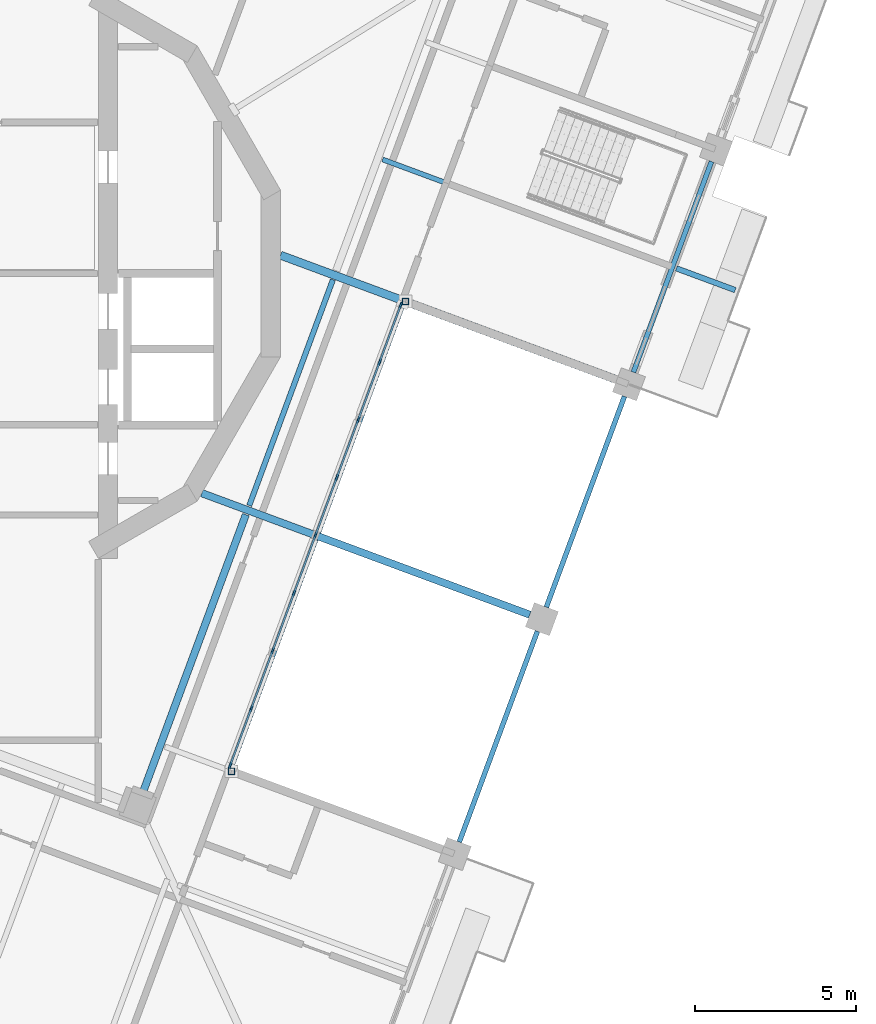
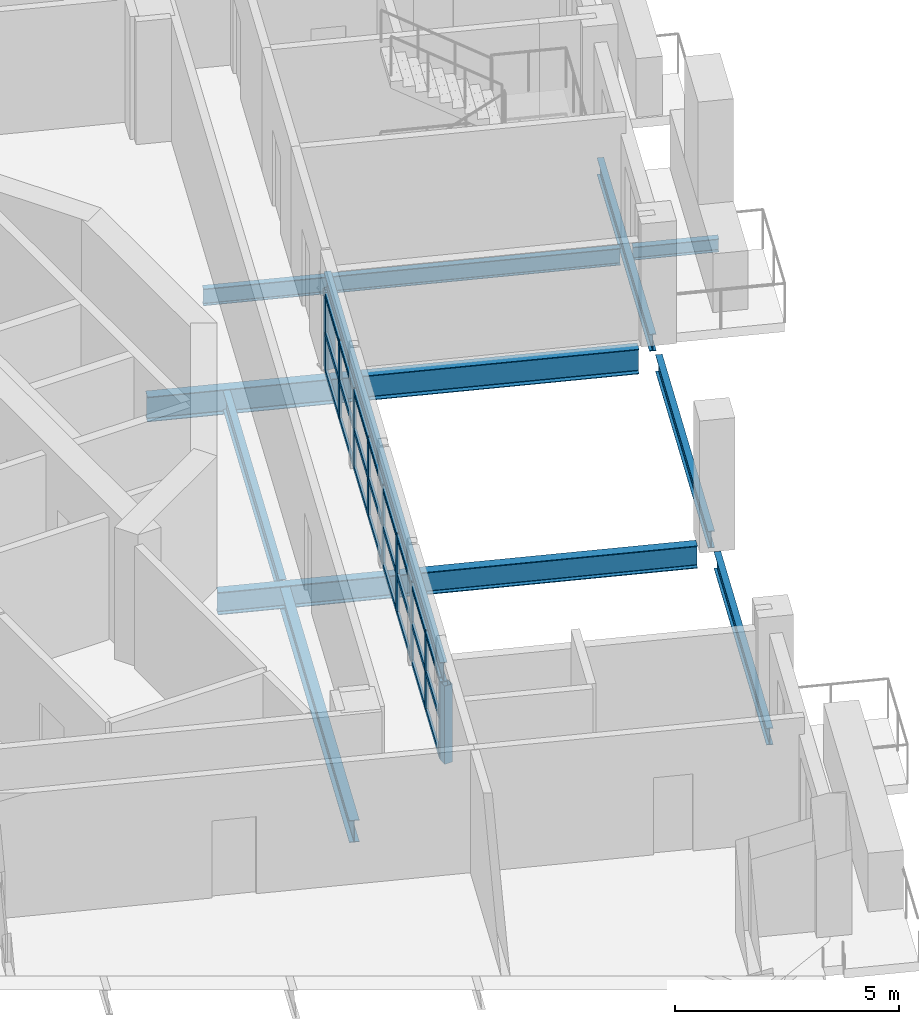
# One storey, part 2 of 19: 35 members, 10 beams, 1 element without a shape of its own.
"""IFC4 building model written with IfcOpenShell, lengths in metres."""

from ifc_helpers import new_model, si_unit, direction, frame, origin, origin_2d, place, context, subcontext, project, spatial, rectangle, hollow_rectangle, i_section, extrude, material, material_profile, profile_set, type_object, element, aggregate, save


model = new_model("IFC4")

# Units and contexts
model_context = context("Model", 3, precision=1e-05, world=origin(), true_north=direction((0.0, 1.0)))
body_context = subcontext(model_context, "Body", "Model", "MODEL_VIEW")
ifc_project = project(units=[si_unit("LENGTHUNIT", "METRE"), si_unit("AREAUNIT", "SQUARE_METRE"), si_unit("VOLUMEUNIT", "CUBIC_METRE"), si_unit("PLANEANGLEUNIT", "RADIAN"), si_unit("MASSUNIT", "GRAM", prefix="KILO")], contexts=[model_context])

# Site, building, storey
site_placement = place(None, origin())
site = spatial("IfcSite", under=ifc_project, at=site_placement, CompositionType="ELEMENT")
building_placement = place(site_placement, origin())
building = spatial("IfcBuilding", under=site, at=building_placement, Name="Cantera Rosa Tower", CompositionType="ELEMENT")
storey_placement = place(building_placement, frame((0.0, 0.0, 334.89990234375)))
storey = spatial("IfcBuildingStorey", under=building, at=storey_placement, Name="L75", CompositionType="ELEMENT", Elevation=334.89990234375)

# Curtain wall, members
ifc_material_1 = material(Name="Aluminium frame with clear glass", Category="aluminium")
curtain_wall_type = type_object("IfcCurtainWallType", Name="CW1 TERRACE POCKET GLAZING", PredefinedType="NOTDEFINED", material=ifc_material_1)
curtain_wall_placement = place(storey_placement, origin())
curtain_wall = element("IfcCurtainWall", 1, at=curtain_wall_placement, inside=storey, type_object=curtain_wall_type, Name="CW1 CW1", PredefinedType="NOTDEFINED")
ifc_material_2 = material(Name="Anodised bronze aluminium", Category="aluminium")
ifc_material_profile_1 = material_profile(ifc_material_2, rectangle(XDim=0.06005859375, YDim=0.179931640625, at=origin_2d()), Name="CW-MULLION 60x180 POCKET")
ifc_profile_set_1 = profile_set([ifc_material_profile_1], Name="Anodised bronze aluminium")
member_type_1 = type_object("IfcMemberType", Name="CW-MULLION 60x180 POCKET", PredefinedType="MULLION", material=ifc_profile_set_1)
member_1_placement = place(storey_placement, frame((8.094970703125, -15.280029296875, 0.0), z_axis=(0.0, 0.0, 1.0), x_axis=(-0.93768693693, 0.347481234472, 0.0)))
member_1 = element("IfcMember", 2, at=member_1_placement, type_object=member_type_1, Name="CW1 mullion 1", PredefinedType="MULLION", context=body_context, shape_type="SweptSolid", body=[
    extrude(rectangle(XDim=0.06005859375, YDim=0.179931640625, at=origin_2d()), origin(), (0.0, 0.0, 1.0), 2.128173828125),
])
member_2_placement = place(storey_placement, frame((8.74951171875, -13.513671875, 0.0), z_axis=(0.0, 0.0, 1.0), x_axis=(-0.93768693693, 0.347481234472, 0.0)))
member_2 = element("IfcMember", 3, at=member_2_placement, type_object=member_type_1, Name="CW1 mullion 2", PredefinedType="MULLION", context=body_context, shape_type="SweptSolid", body=[
    extrude(rectangle(XDim=0.06005859375, YDim=0.179931640625, at=origin_2d()), origin(), (0.0, 0.0, 1.0), 2.128173828125),
])
member_3_placement = place(storey_placement, frame((9.41455078125, -11.718994140625, 0.0), z_axis=(0.0, 0.0, 1.0), x_axis=(-0.93768693693, 0.347481234472, 0.0)))
member_3 = element("IfcMember", 4, at=member_3_placement, type_object=member_type_1, Name="CW1 mullion 3", PredefinedType="MULLION", context=body_context, shape_type="SweptSolid", body=[
    extrude(rectangle(XDim=0.06005859375, YDim=0.179931640625, at=origin_2d()), origin(), (0.0, 0.0, 1.0), 2.128173828125),
])
member_4_placement = place(storey_placement, frame((10.079345703125, -9.924560546875, 0.0), z_axis=(0.0, 0.0, 1.0), x_axis=(-0.93768693693, 0.347481234472, 0.0)))
member_4 = element("IfcMember", 5, at=member_4_placement, type_object=member_type_1, Name="CW1 mullion 4", PredefinedType="MULLION", context=body_context, shape_type="SweptSolid", body=[
    extrude(rectangle(XDim=0.06005859375, YDim=0.179931640625, at=origin_2d()), origin(), (0.0, 0.0, 1.0), 2.128173828125),
])
member_5_placement = place(storey_placement, frame((10.744384765625, -8.130126953125, 0.0), z_axis=(0.0, 0.0, 1.0), x_axis=(-0.93768693693, 0.347481234472, 0.0)))
member_5 = element("IfcMember", 6, at=member_5_placement, type_object=member_type_1, Name="CW1 mullion 5", PredefinedType="MULLION", context=body_context, shape_type="SweptSolid", body=[
    extrude(rectangle(XDim=0.06005859375, YDim=0.179931640625, at=origin_2d()), origin(), (0.0, 0.0, 1.0), 2.128173828125),
])
member_6_placement = place(storey_placement, frame((11.409423828125, -6.335693359375, 0.0), z_axis=(0.0, 0.0, 1.0), x_axis=(-0.93768693693, 0.347481234472, 0.0)))
member_6 = element("IfcMember", 7, at=member_6_placement, type_object=member_type_1, Name="CW1 mullion 6", PredefinedType="MULLION", context=body_context, shape_type="SweptSolid", body=[
    extrude(rectangle(XDim=0.06005859375, YDim=0.179931640625, at=origin_2d()), origin(), (0.0, 0.0, 1.0), 2.128173828125),
])
member_7_placement = place(storey_placement, frame((12.074462890625, -4.541015625, 0.0), z_axis=(0.0, 0.0, 1.0), x_axis=(-0.93768693693, 0.347481234472, 0.0)))
member_7 = element("IfcMember", 8, at=member_7_placement, type_object=member_type_1, Name="CW1 mullion 7", PredefinedType="MULLION", context=body_context, shape_type="SweptSolid", body=[
    extrude(rectangle(XDim=0.06005859375, YDim=0.179931640625, at=origin_2d()), origin(), (0.0, 0.0, 1.0), 2.128173828125),
])
member_8_placement = place(storey_placement, frame((12.739501953125, -2.74658203125, 0.0), z_axis=(0.0, 0.0, 1.0), x_axis=(-0.93768693693, 0.347481234472, 0.0)))
member_8 = element("IfcMember", 9, at=member_8_placement, type_object=member_type_1, Name="CW1 mullion 8", PredefinedType="MULLION", context=body_context, shape_type="SweptSolid", body=[
    extrude(rectangle(XDim=0.06005859375, YDim=0.179931640625, at=origin_2d()), origin(), (0.0, 0.0, 1.0), 2.128173828125),
])
member_9_placement = place(storey_placement, frame((13.39404296875, -0.980224609375, 0.0), z_axis=(0.0, 0.0, 1.0), x_axis=(-0.93768693693, 0.347481234472, 0.0)))
member_9 = element("IfcMember", 10, at=member_9_placement, type_object=member_type_1, Name="CW1 mullion 9", PredefinedType="MULLION", context=body_context, shape_type="SweptSolid", body=[
    extrude(rectangle(XDim=0.06005859375, YDim=0.179931640625, at=origin_2d()), origin(), (0.0, 0.0, 1.0), 2.128173828125),
])
ifc_material_3 = material(Name="Anodised bronze aluminium", Category="aluminium")
ifc_material_profile_2 = material_profile(ifc_material_3, rectangle(XDim=0.06005859375, YDim=0.139892578125, at=origin_2d()), Name="CW-TRANSOM 60x140 POCKET")
ifc_profile_set_2 = profile_set([ifc_material_profile_2], Name="Anodised bronze aluminium")
member_type_2 = type_object("IfcMemberType", Name="CW-TRANSOM 60x140 POCKET", PredefinedType="USERDEFINED", material=ifc_profile_set_2)
member_10_placement = place(storey_placement, frame((8.105224609375, -15.251953125, 0.030029296875), z_axis=(0.347497456421, 0.937680925358, 0.0), x_axis=(-0.937680925358, 0.347497456421, 0.0)))
member_10 = element("IfcMember", 11, at=member_10_placement, type_object=member_type_2, Name="CW1 transom 1.1", ObjectType="TRANSOM", PredefinedType="USERDEFINED", context=body_context, shape_type="SweptSolid", body=[
    extrude(rectangle(XDim=0.06005859375, YDim=0.139892578125, at=origin_2d()), origin(), (0.0, 0.0, 1.0), 1.823974609375),
])
member_11_placement = place(storey_placement, frame((8.105224609375, -15.251953125, 1.064208984375), z_axis=(0.347497456421, 0.937680925358, 0.0), x_axis=(-0.937680925358, 0.347497456421, 0.0)))
member_11 = element("IfcMember", 12, at=member_11_placement, type_object=member_type_2, Name="CW1 transom 1.2", ObjectType="TRANSOM", PredefinedType="USERDEFINED", context=body_context, shape_type="SweptSolid", body=[
    extrude(rectangle(XDim=0.06005859375, YDim=0.139892578125, at=origin_2d()), origin(), (0.0, 0.0, 1.0), 1.823974609375),
])
member_12_placement = place(storey_placement, frame((8.105224609375, -15.251953125, 2.09814453125), z_axis=(0.347497456421, 0.937680925358, 0.0), x_axis=(-0.937680925358, 0.347497456421, 0.0)))
member_12 = element("IfcMember", 13, at=member_12_placement, type_object=member_type_2, Name="CW1 transom 1.3", ObjectType="TRANSOM", PredefinedType="USERDEFINED", context=body_context, shape_type="SweptSolid", body=[
    extrude(rectangle(XDim=0.06005859375, YDim=0.139892578125, at=origin_2d()), origin(), (0.0, 0.0, 1.0), 1.823974609375),
])
member_13_placement = place(storey_placement, frame((8.760009765625, -13.485595703125, 0.030029296875), z_axis=(0.347425877782, 0.937707448753, 0.0), x_axis=(-0.937707448753, 0.347425877782, 0.0)))
member_13 = element("IfcMember", 14, at=member_13_placement, type_object=member_type_2, Name="CW1 transom 2.1", ObjectType="TRANSOM", PredefinedType="USERDEFINED", context=body_context, shape_type="SweptSolid", body=[
    extrude(rectangle(XDim=0.06005859375, YDim=0.139892578125, at=origin_2d()), origin(), (0.0, 0.0, 1.0), 1.853759765625),
])
member_14_placement = place(storey_placement, frame((8.760009765625, -13.485595703125, 1.064208984375), z_axis=(0.347425877782, 0.937707448753, 0.0), x_axis=(-0.937707448753, 0.347425877782, 0.0)))
member_14 = element("IfcMember", 15, at=member_14_placement, type_object=member_type_2, Name="CW1 transom 2.2", ObjectType="TRANSOM", PredefinedType="USERDEFINED", context=body_context, shape_type="SweptSolid", body=[
    extrude(rectangle(XDim=0.06005859375, YDim=0.139892578125, at=origin_2d()), origin(), (0.0, 0.0, 1.0), 1.853759765625),
])
member_15_placement = place(storey_placement, frame((8.760009765625, -13.485595703125, 2.09814453125), z_axis=(0.347425877782, 0.937707448753, 0.0), x_axis=(-0.937707448753, 0.347425877782, 0.0)))
member_15 = element("IfcMember", 16, at=member_15_placement, type_object=member_type_2, Name="CW1 transom 2.3", ObjectType="TRANSOM", PredefinedType="USERDEFINED", context=body_context, shape_type="SweptSolid", body=[
    extrude(rectangle(XDim=0.06005859375, YDim=0.139892578125, at=origin_2d()), origin(), (0.0, 0.0, 1.0), 1.853759765625),
])
member_16_placement = place(storey_placement, frame((9.4248046875, -11.69091796875, 0.030029296875), z_axis=(0.347541673446, 0.937664537678, 0.0), x_axis=(-0.937664537678, 0.347541673446, 0.0)))
member_16 = element("IfcMember", 17, at=member_16_placement, type_object=member_type_2, Name="CW1 transom 3.1", ObjectType="TRANSOM", PredefinedType="USERDEFINED", context=body_context, shape_type="SweptSolid", body=[
    extrude(rectangle(XDim=0.06005859375, YDim=0.139892578125, at=origin_2d()), origin(), (0.0, 0.0, 1.0), 1.853759765625),
])
member_17_placement = place(storey_placement, frame((9.4248046875, -11.69091796875, 1.064208984375), z_axis=(0.347541673446, 0.937664537678, 0.0), x_axis=(-0.937664537678, 0.347541673446, 0.0)))
member_17 = element("IfcMember", 18, at=member_17_placement, type_object=member_type_2, Name="CW1 transom 3.2", ObjectType="TRANSOM", PredefinedType="USERDEFINED", context=body_context, shape_type="SweptSolid", body=[
    extrude(rectangle(XDim=0.06005859375, YDim=0.139892578125, at=origin_2d()), origin(), (0.0, 0.0, 1.0), 1.853759765625),
])
member_18_placement = place(storey_placement, frame((9.4248046875, -11.69091796875, 2.09814453125), z_axis=(0.347541673446, 0.937664537678, 0.0), x_axis=(-0.937664537678, 0.347541673446, 0.0)))
member_18 = element("IfcMember", 19, at=member_18_placement, type_object=member_type_2, Name="CW1 transom 3.3", ObjectType="TRANSOM", PredefinedType="USERDEFINED", context=body_context, shape_type="SweptSolid", body=[
    extrude(rectangle(XDim=0.06005859375, YDim=0.139892578125, at=origin_2d()), origin(), (0.0, 0.0, 1.0), 1.853759765625),
])
member_19_placement = place(storey_placement, frame((10.08984375, -9.896484375, 0.030029296875), z_axis=(0.347541673446, 0.937664537678, 0.0), x_axis=(-0.937664537678, 0.347541673446, 0.0)))
member_19 = element("IfcMember", 20, at=member_19_placement, type_object=member_type_2, Name="CW1 transom 4.1", ObjectType="TRANSOM", PredefinedType="USERDEFINED", context=body_context, shape_type="SweptSolid", body=[
    extrude(rectangle(XDim=0.06005859375, YDim=0.139892578125, at=origin_2d()), origin(), (0.0, 0.0, 1.0), 1.853759765625),
])
member_20_placement = place(storey_placement, frame((10.08984375, -9.896484375, 1.064208984375), z_axis=(0.347541673446, 0.937664537678, 0.0), x_axis=(-0.937664537678, 0.347541673446, 0.0)))
member_20 = element("IfcMember", 21, at=member_20_placement, type_object=member_type_2, Name="CW1 transom 4.2", ObjectType="TRANSOM", PredefinedType="USERDEFINED", context=body_context, shape_type="SweptSolid", body=[
    extrude(rectangle(XDim=0.06005859375, YDim=0.139892578125, at=origin_2d()), origin(), (0.0, 0.0, 1.0), 1.853759765625),
])
member_21_placement = place(storey_placement, frame((10.08984375, -9.896484375, 2.09814453125), z_axis=(0.347541673446, 0.937664537678, 0.0), x_axis=(-0.937664537678, 0.347541673446, 0.0)))
member_21 = element("IfcMember", 22, at=member_21_placement, type_object=member_type_2, Name="CW1 transom 4.3", ObjectType="TRANSOM", PredefinedType="USERDEFINED", context=body_context, shape_type="SweptSolid", body=[
    extrude(rectangle(XDim=0.06005859375, YDim=0.139892578125, at=origin_2d()), origin(), (0.0, 0.0, 1.0), 1.853759765625),
])
member_22_placement = place(storey_placement, frame((10.7548828125, -8.10205078125, 0.030029296875), z_axis=(0.347425877782, 0.937707448753, 0.0), x_axis=(-0.937707448753, 0.347425877782, 0.0)))
member_22 = element("IfcMember", 23, at=member_22_placement, type_object=member_type_2, Name="CW1 transom 5.1", ObjectType="TRANSOM", PredefinedType="USERDEFINED", context=body_context, shape_type="SweptSolid", body=[
    extrude(rectangle(XDim=0.06005859375, YDim=0.139892578125, at=origin_2d()), origin(), (0.0, 0.0, 1.0), 1.853759765625),
])
member_23_placement = place(storey_placement, frame((10.7548828125, -8.10205078125, 1.064208984375), z_axis=(0.347425877782, 0.937707448753, 0.0), x_axis=(-0.937707448753, 0.347425877782, 0.0)))
member_23 = element("IfcMember", 24, at=member_23_placement, type_object=member_type_2, Name="CW1 transom 5.2", ObjectType="TRANSOM", PredefinedType="USERDEFINED", context=body_context, shape_type="SweptSolid", body=[
    extrude(rectangle(XDim=0.06005859375, YDim=0.139892578125, at=origin_2d()), origin(), (0.0, 0.0, 1.0), 1.853759765625),
])
member_24_placement = place(storey_placement, frame((10.7548828125, -8.10205078125, 2.09814453125), z_axis=(0.347425877782, 0.937707448753, 0.0), x_axis=(-0.937707448753, 0.347425877782, 0.0)))
member_24 = element("IfcMember", 25, at=member_24_placement, type_object=member_type_2, Name="CW1 transom 5.3", ObjectType="TRANSOM", PredefinedType="USERDEFINED", context=body_context, shape_type="SweptSolid", body=[
    extrude(rectangle(XDim=0.06005859375, YDim=0.139892578125, at=origin_2d()), origin(), (0.0, 0.0, 1.0), 1.853759765625),
])
member_25_placement = place(storey_placement, frame((11.419921875, -6.307373046875, 0.030029296875), z_axis=(0.347468788607, 0.937691548935, 0.0), x_axis=(-0.937691548935, 0.347468788607, 0.0)))
member_25 = element("IfcMember", 26, at=member_25_placement, type_object=member_type_2, Name="CW1 transom 6.1", ObjectType="TRANSOM", PredefinedType="USERDEFINED", context=body_context, shape_type="SweptSolid", body=[
    extrude(rectangle(XDim=0.06005859375, YDim=0.139892578125, at=origin_2d()), origin(), (0.0, 0.0, 1.0), 1.853515625),
])
member_26_placement = place(storey_placement, frame((11.419921875, -6.307373046875, 1.064208984375), z_axis=(0.347468788607, 0.937691548935, 0.0), x_axis=(-0.937691548935, 0.347468788607, 0.0)))
member_26 = element("IfcMember", 27, at=member_26_placement, type_object=member_type_2, Name="CW1 transom 6.2", ObjectType="TRANSOM", PredefinedType="USERDEFINED", context=body_context, shape_type="SweptSolid", body=[
    extrude(rectangle(XDim=0.06005859375, YDim=0.139892578125, at=origin_2d()), origin(), (0.0, 0.0, 1.0), 1.853515625),
])
member_27_placement = place(storey_placement, frame((11.419921875, -6.307373046875, 2.09814453125), z_axis=(0.347468788607, 0.937691548935, 0.0), x_axis=(-0.937691548935, 0.347468788607, 0.0)))
member_27 = element("IfcMember", 28, at=member_27_placement, type_object=member_type_2, Name="CW1 transom 6.3", ObjectType="TRANSOM", PredefinedType="USERDEFINED", context=body_context, shape_type="SweptSolid", body=[
    extrude(rectangle(XDim=0.06005859375, YDim=0.139892578125, at=origin_2d()), origin(), (0.0, 0.0, 1.0), 1.853515625),
])
member_28_placement = place(storey_placement, frame((12.0849609375, -4.512939453125, 0.030029296875), z_axis=(0.347425877782, 0.937707448753, 0.0), x_axis=(-0.937707448753, 0.347425877782, 0.0)))
member_28 = element("IfcMember", 29, at=member_28_placement, type_object=member_type_2, Name="CW1 transom 7.1", ObjectType="TRANSOM", PredefinedType="USERDEFINED", context=body_context, shape_type="SweptSolid", body=[
    extrude(rectangle(XDim=0.06005859375, YDim=0.139892578125, at=origin_2d()), origin(), (0.0, 0.0, 1.0), 1.853759765625),
])
member_29_placement = place(storey_placement, frame((12.0849609375, -4.512939453125, 1.064208984375), z_axis=(0.347425877782, 0.937707448753, 0.0), x_axis=(-0.937707448753, 0.347425877782, 0.0)))
member_29 = element("IfcMember", 30, at=member_29_placement, type_object=member_type_2, Name="CW1 transom 7.2", ObjectType="TRANSOM", PredefinedType="USERDEFINED", context=body_context, shape_type="SweptSolid", body=[
    extrude(rectangle(XDim=0.06005859375, YDim=0.139892578125, at=origin_2d()), origin(), (0.0, 0.0, 1.0), 1.853759765625),
])
member_30_placement = place(storey_placement, frame((12.0849609375, -4.512939453125, 2.09814453125), z_axis=(0.347425877782, 0.937707448753, 0.0), x_axis=(-0.937707448753, 0.347425877782, 0.0)))
member_30 = element("IfcMember", 31, at=member_30_placement, type_object=member_type_2, Name="CW1 transom 7.3", ObjectType="TRANSOM", PredefinedType="USERDEFINED", context=body_context, shape_type="SweptSolid", body=[
    extrude(rectangle(XDim=0.06005859375, YDim=0.139892578125, at=origin_2d()), origin(), (0.0, 0.0, 1.0), 1.853759765625),
])
member_31_placement = place(storey_placement, frame((12.749755859375, -2.718505859375, 0.030029296875), z_axis=(0.347497456421, 0.937680925358, 0.0), x_axis=(-0.937680925358, 0.347497456421, 0.0)))
member_31 = element("IfcMember", 32, at=member_31_placement, type_object=member_type_2, Name="CW1 transom 8.1", ObjectType="TRANSOM", PredefinedType="USERDEFINED", context=body_context, shape_type="SweptSolid", body=[
    extrude(rectangle(XDim=0.06005859375, YDim=0.139892578125, at=origin_2d()), origin(), (0.0, 0.0, 1.0), 1.823974609375),
])
member_32_placement = place(storey_placement, frame((12.749755859375, -2.718505859375, 1.064208984375), z_axis=(0.347497456421, 0.937680925358, 0.0), x_axis=(-0.937680925358, 0.347497456421, 0.0)))
member_32 = element("IfcMember", 33, at=member_32_placement, type_object=member_type_2, Name="CW1 transom 8.2", ObjectType="TRANSOM", PredefinedType="USERDEFINED", context=body_context, shape_type="SweptSolid", body=[
    extrude(rectangle(XDim=0.06005859375, YDim=0.139892578125, at=origin_2d()), origin(), (0.0, 0.0, 1.0), 1.823974609375),
])
member_33_placement = place(storey_placement, frame((12.749755859375, -2.718505859375, 2.09814453125), z_axis=(0.347497456421, 0.937680925358, 0.0), x_axis=(-0.937680925358, 0.347497456421, 0.0)))
member_33 = element("IfcMember", 34, at=member_33_placement, type_object=member_type_2, Name="CW1 transom 8.3", ObjectType="TRANSOM", PredefinedType="USERDEFINED", context=body_context, shape_type="SweptSolid", body=[
    extrude(rectangle(XDim=0.06005859375, YDim=0.139892578125, at=origin_2d()), origin(), (0.0, 0.0, 1.0), 1.823974609375),
])
aggregate(curtain_wall, [member_1, member_2, member_3, member_4, member_5, member_6, member_7, member_8, member_9, member_10, member_11, member_12, member_13, member_14, member_15, member_16, member_17, member_18, member_19, member_20, member_21, member_22, member_23, member_24, member_25, member_26, member_27, member_28, member_29, member_30, member_31, member_32, member_33])

# Members
ifc_material_4 = material(Name="Steel ASTM A992 (Fy 345 MPa)", Category="steel")
ifc_material_profile_3 = material_profile(ifc_material_4, hollow_rectangle(XDim=0.199951171875, YDim=0.199951171875, WallThickness=0.010009765625, at=origin_2d()), Name="LINTEL POST RHS 200x200x10")
ifc_profile_set_3 = profile_set([ifc_material_profile_3], Name="Steel ASTM A992 (Fy 345 MPa)")
member_type_3 = type_object("IfcMemberType", Name="LINTEL POST RHS 200x200x10", PredefinedType="USERDEFINED", material=ifc_profile_set_3)
for number, where, z_axis, x_axis, name in (
    (35, (8.134765625, -15.460205078125, 0.0), (0.0, 0.0, 1.0), (1.0, 0.0, 0.0), "LINTEL POST L75-1"),
    (36, (13.54150390625, -0.86962890625, 0.0), (0.0, 0.0, 1.0), (1.0, 0.0, 0.0), "LINTEL POST L75-2"),
):
    element("IfcMember", number, at=place(storey_placement, frame(where, z_axis=z_axis, x_axis=x_axis)), inside=storey, type_object=member_type_3, Name=name, ObjectType="LINTEL POST", PredefinedType="USERDEFINED", context=body_context, shape_type="SweptSolid", body=[
        extrude(hollow_rectangle(XDim=0.199951171875, YDim=0.199951171875, WallThickness=0.010009765625, at=origin_2d()), origin(), (0.0, 0.0, 1.0), 2.130126953125),
    ])

# Beams
ifc_material_5 = material(Name="Steel ASTM A992 (Fy 345 MPa)", Category="steel")
ifc_material_profile_4 = material_profile(ifc_material_5, i_section(OverallWidth=0.166015625, OverallDepth=0.528076171875, WebThickness=0.009765625, FlangeThickness=0.013671875, FilletRadius=0.0126953125, at=origin_2d()), Name="W530X74")
ifc_profile_set_4 = profile_set([ifc_material_profile_4], Name="Steel ASTM A992 (Fy 345 MPa)")
beam_type_1 = type_object("IfcBeamType", Name="STEEL BEAM W530X74", PredefinedType="BEAM", material=ifc_profile_set_4)
beam_1_placement = place(storey_placement, frame((8.686767578125, -7.20751953125, -0.513916015625), z_axis=(0.347486566882, 0.937684960867, 0.0), x_axis=(-0.937684960867, 0.347486566882, 0.0)))
element("IfcBeam", 37, at=beam_1_placement, inside=storey, type_object=beam_type_1, Name="RB-Z6-05 L75", PredefinedType="BEAM", context=body_context, shape_type="SweptSolid", body=[
    extrude(i_section(OverallWidth=0.166015625, OverallDepth=0.528076171875, WebThickness=0.009765625, FlangeThickness=0.013671875, FilletRadius=0.0126953125, at=origin_2d()), origin(), (0.0, 0.0, 1.0), 7.479736328125),
])
beam_2_placement = place(storey_placement, frame((8.105224609375, -15.395751953125, 2.39404296875), z_axis=(0.347483050197, 0.93768626407, 0.0), x_axis=(-0.93768626407, 0.347483050197, 0.0)))
element("IfcBeam", 38, at=beam_2_placement, inside=storey, type_object=beam_type_1, Name="LINTEL SL-L75", PredefinedType="BEAM", context=body_context, shape_type="SweptSolid", body=[
    extrude(i_section(OverallWidth=0.166015625, OverallDepth=0.528076171875, WebThickness=0.009765625, FlangeThickness=0.013671875, FilletRadius=0.0126953125, at=origin_2d()), origin(), (0.0, 0.0, 1.0), 15.4599609375),
])
ifc_material_6 = material(Name="Steel ASTM A992 (Fy 345 MPa)", Category="steel")
ifc_material_profile_5 = material_profile(ifc_material_6, i_section(OverallWidth=0.22802734375, OverallDepth=0.60205078125, WebThickness=0.010498046875, FlangeThickness=0.014892578125, FilletRadius=0.0126953125, at=origin_2d()), Name="W610X101")
ifc_profile_set_5 = profile_set([ifc_material_profile_5], Name="Steel ASTM A992 (Fy 345 MPa)")
beam_type_2 = type_object("IfcBeamType", Name="STEEL BEAM W610X101", PredefinedType="BEAM", material=ifc_profile_set_5)
beam_3_placement = place(storey_placement, frame((5.38232421875, -16.125, -0.55078125), z_axis=(0.347474937304, 0.937689270465, 0.0), x_axis=(-0.937689270465, 0.347474937304, 0.0)))
element("IfcBeam", 39, at=beam_3_placement, inside=storey, type_object=beam_type_2, Name="RB-Z6-04 L75", PredefinedType="BEAM", context=body_context, shape_type="SweptSolid", body=[
    extrude(i_section(OverallWidth=0.22802734375, OverallDepth=0.60205078125, WebThickness=0.010498046875, FlangeThickness=0.014892578125, FilletRadius=0.0126953125, at=origin_2d()), origin(), (0.0, 0.0, 1.0), 9.2099609375),
])
ifc_material_7 = material(Name="Steel ASTM A992 (Fy 345 MPa)", Category="steel")
ifc_material_profile_6 = material_profile(ifc_material_7, i_section(OverallWidth=0.22900390625, OverallDepth=0.612060546875, WebThickness=0.011962890625, FlangeThickness=0.01953125, FilletRadius=0.0126953125, at=origin_2d()), Name="W610X125")
ifc_profile_set_6 = profile_set([ifc_material_profile_6], Name="Steel ASTM A992 (Fy 345 MPa)")
beam_type_3 = type_object("IfcBeamType", Name="STEEL BEAM W610X125", PredefinedType="BEAM", material=ifc_profile_set_6)
beam_4_placement = place(storey_placement, frame((17.402099609375, -10.59716796875, -0.555908203125), z_axis=(-0.937686127687, 0.347483418229, 0.0), x_axis=(-0.347483418229, -0.937686127687, 0.0)))
element("IfcBeam", 40, at=beam_4_placement, inside=storey, type_object=beam_type_3, Name="G-Z6-09 L75", PredefinedType="BEAM", context=body_context, shape_type="SweptSolid", body=[
    extrude(i_section(OverallWidth=0.22900390625, OverallDepth=0.612060546875, WebThickness=0.011962890625, FlangeThickness=0.01953125, FilletRadius=0.0126953125, at=origin_2d()), origin(), (0.0, 0.0, 1.0), 10.8642578125),
])
ifc_material_8 = material(Name="Steel ASTM A992 (Fy 345 MPa)", Category="steel")
ifc_material_profile_7 = material_profile(ifc_material_8, i_section(OverallWidth=0.25390625, OverallDepth=0.677978515625, WebThickness=0.01171875, FlangeThickness=0.016357421875, FilletRadius=0.01513671875, at=origin_2d()), Name="W690X125")
ifc_profile_set_7 = profile_set([ifc_material_profile_7], Name="Steel ASTM A992 (Fy 345 MPa)")
beam_type_4 = type_object("IfcBeamType", Name="STEEL BEAM W690X125", PredefinedType="BEAM", material=ifc_profile_set_7)
beam_5_placement = place(storey_placement, frame((20.10546875, -3.302001953125, -0.5888671875), z_axis=(-0.937687416585, 0.347479940109, 0.0), x_axis=(-0.347479940109, -0.937687416585, 0.0)))
element("IfcBeam", 41, at=beam_5_placement, inside=storey, type_object=beam_type_4, Name="G-Z6-10 L75", PredefinedType="BEAM", context=body_context, shape_type="SweptSolid", body=[
    extrude(i_section(OverallWidth=0.25390625, OverallDepth=0.677978515625, WebThickness=0.01171875, FlangeThickness=0.016357421875, FilletRadius=0.01513671875, at=origin_2d()), origin(), (0.0, 0.0, 1.0), 11.140380859375),
])
ifc_material_9 = material(Name="Steel ASTM A992 (Fy 345 MPa)", Category="steel")
ifc_material_profile_8 = material_profile(ifc_material_9, i_section(OverallWidth=0.1708984375, OverallDepth=0.35595703125, WebThickness=0.00732421875, FlangeThickness=0.01171875, FilletRadius=0.010009765625, at=origin_2d()), Name="W360X51")
ifc_profile_set_8 = profile_set([ifc_material_profile_8], Name="Steel ASTM A992 (Fy 345 MPa)")
beam_type_5 = type_object("IfcBeamType", Name="STEEL JOIST W360X51", PredefinedType="JOIST", material=ifc_profile_set_8)
beam_6_placement = place(storey_placement, frame((21.9541015625, 0.161376953125, -0.427978515625), z_axis=(0.937685327158, -0.347485578453, 0.0), x_axis=(0.347485578453, 0.937685327158, 0.0)))
element("IfcBeam", 42, at=beam_6_placement, inside=storey, type_object=beam_type_5, Name="BS-Z6-05 L75", PredefinedType="JOIST", context=body_context, shape_type="SweptSolid", body=[
    extrude(i_section(OverallWidth=0.1708984375, OverallDepth=0.35595703125, WebThickness=0.00732421875, FlangeThickness=0.01171875, FilletRadius=0.010009765625, at=origin_2d()), origin(), (0.0, 0.0, 1.0), 1.950439453125),
])
ifc_material_10 = material(Name="Steel ASTM A992 (Fy 345 MPa)", Category="steel")
ifc_material_profile_9 = material_profile(ifc_material_10, i_section(OverallWidth=0.154052734375, OverallDepth=0.4599609375, WebThickness=0.009033203125, FlangeThickness=0.015380859375, FilletRadius=0.01025390625, at=origin_2d()), Name="W460X68")
ifc_profile_set_9 = profile_set([ifc_material_profile_9], Name="Steel ASTM A992 (Fy 345 MPa)")
beam_type_6 = type_object("IfcBeamType", Name="STEEL JOIST W460X68", PredefinedType="JOIST", material=ifc_profile_set_9)
beam_7_placement = place(storey_placement, frame((21.691650390625, 0.2587890625, -0.47998046875), z_axis=(-0.937689536508, 0.347474219364, 0.0), x_axis=(-0.347474219364, -0.937689536508, 0.0)))
element("IfcBeam", 43, at=beam_7_placement, inside=storey, type_object=beam_type_6, Name="B-Z6-13 L75", PredefinedType="JOIST", context=body_context, shape_type="SweptSolid", body=[
    extrude(i_section(OverallWidth=0.154052734375, OverallDepth=0.4599609375, WebThickness=0.009033203125, FlangeThickness=0.015380859375, FilletRadius=0.01025390625, at=origin_2d()), origin(), (0.0, 0.0, 1.0), 9.4501953125),
])
ifc_material_11 = material(Name="Steel ASTM A992 (Fy 345 MPa)", Category="steel")
ifc_material_profile_10 = material_profile(ifc_material_11, i_section(OverallWidth=0.154052734375, OverallDepth=0.4599609375, WebThickness=0.009033203125, FlangeThickness=0.015380859375, FilletRadius=0.01025390625, at=origin_2d()), Name="W460X68")
ifc_profile_set_10 = profile_set([ifc_material_profile_10], Name="Steel ASTM A992 (Fy 345 MPa)")
beam_type_7 = type_object("IfcBeamType", Name="STEEL SPANDREL BEAM W460X68", PredefinedType="SPANDREL", material=ifc_profile_set_10)
for number, where, z_axis, x_axis, name in (
    (44, (15.212646484375, -17.65625, -0.47998046875), (0.347502316452, 0.937679124253, 0.0), (-0.937679124253, 0.347502316452, 0.0), "EB-Z6-21 L75"),
    (45, (17.916015625, -10.361083984375, -0.47998046875), (0.347502316452, 0.937679124253, 0.0), (-0.937679124253, 0.347502316452, 0.0), "EB-Z6-22 L75"),
):
    element("IfcBeam", number, at=place(storey_placement, frame(where, z_axis=z_axis, x_axis=x_axis)), inside=storey, type_object=beam_type_7, Name=name, PredefinedType="SPANDREL", context=body_context, shape_type="SweptSolid", body=[
        extrude(i_section(OverallWidth=0.154052734375, OverallDepth=0.4599609375, WebThickness=0.009033203125, FlangeThickness=0.015380859375, FilletRadius=0.01025390625, at=origin_2d()), origin(), (0.0, 0.0, 1.0), 6.97998046875),
    ])
beam_8_placement = place(storey_placement, frame((20.61962890625, -3.06591796875, -0.47998046875), z_axis=(0.347471562124, 0.937690521182, 0.0), x_axis=(-0.937690521182, 0.347471562124, 0.0)))
element("IfcBeam", 46, at=beam_8_placement, inside=storey, type_object=beam_type_7, Name="EB-Z6-23 L75", PredefinedType="SPANDREL", context=body_context, shape_type="SweptSolid", body=[
    extrude(i_section(OverallWidth=0.154052734375, OverallDepth=0.4599609375, WebThickness=0.009033203125, FlangeThickness=0.015380859375, FilletRadius=0.01025390625, at=origin_2d()), origin(), (0.0, 0.0, 1.0), 6.979736328125),
])

save(model, "model.ifc")
